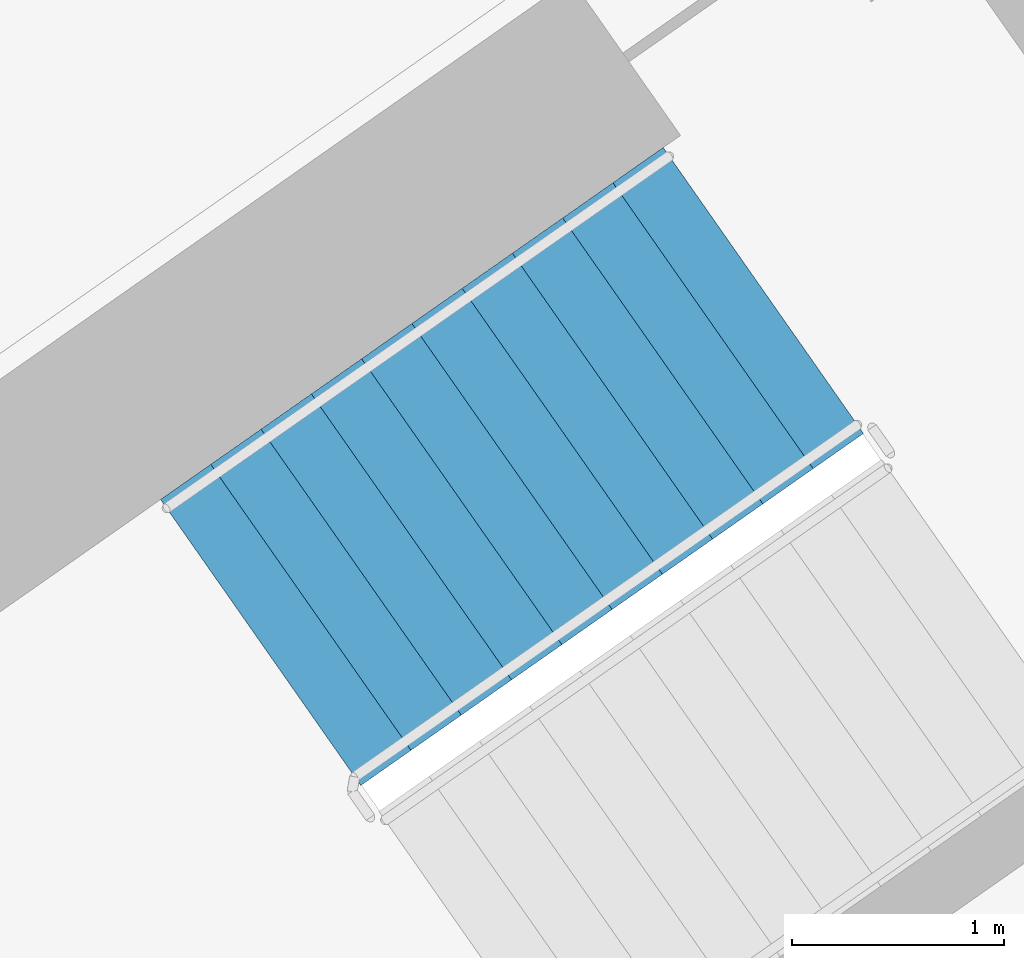
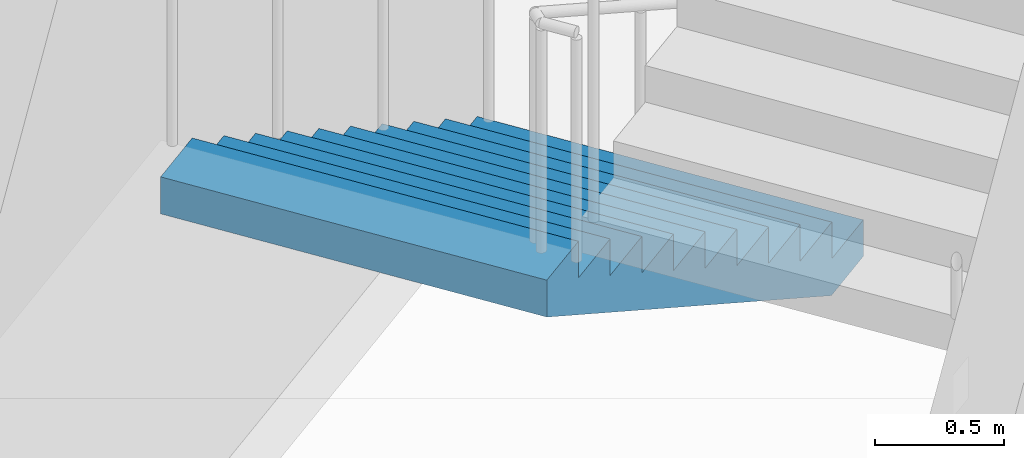
# One storey, part 15 of 31: 1 stair flight, 1 element without a shape of its own.
"""IFC4 building model written with IfcOpenShell, lengths in metres."""

from ifc_helpers import new_model, si_unit, direction, frame, origin, place, context, subcontext, project, spatial, faceted_brep, material, type_object, element, aggregate, save


model = new_model("IFC4")

# Units and contexts
model_context = context("Model", 3, precision=1e-05, world=origin(), true_north=direction((0.0, 1.0)))
body_context = subcontext(model_context, "Body", "Model", "MODEL_VIEW")
ifc_project = project(units=[si_unit("LENGTHUNIT", "METRE"), si_unit("AREAUNIT", "SQUARE_METRE"), si_unit("VOLUMEUNIT", "CUBIC_METRE"), si_unit("PLANEANGLEUNIT", "RADIAN"), si_unit("MASSUNIT", "GRAM", prefix="KILO")], contexts=[model_context])

# Site, building, storey
site_placement = place(None, origin())
site = spatial("IfcSite", under=ifc_project, at=site_placement, CompositionType="ELEMENT")
building_placement = place(site_placement, origin())
building = spatial("IfcBuilding", under=site, at=building_placement, Name="Qamariyya Broadcast Tower", CompositionType="ELEMENT")
storey_placement = place(building_placement, frame((0.0, 0.0, 74.699951171875)))
storey = spatial("IfcBuildingStorey", under=building, at=storey_placement, Name="L15", CompositionType="ELEMENT", Elevation=74.699951171875)

# Stair, stair flight
ifc_material = material(Name="Concrete C50/60", Category="concrete")
stair_type = type_object("IfcStairType", Name="Exit stair 22 risers of 173 mm", PredefinedType="HALF_TURN_STAIR", material=ifc_material)
stair_placement = place(storey_placement, origin())
stair = element("IfcStair", 1, at=stair_placement, inside=storey, type_object=stair_type, Name="L15 Stair E2", PredefinedType="HALF_TURN_STAIR")
stair_flight_type = type_object("IfcStairFlightType", Name="Exit stair flight 11 risers of 173 mm", PredefinedType="STRAIGHT", material=ifc_material)
stair_flight_placement = place(storey_placement, frame((40.558837890625, -47.685302734375, 0.0), z_axis=(0.0, 0.0, 1.0), x_axis=(-0.819152044289, -0.573576436351, 0.0)))
stair_flight = element("IfcStairFlight", 2, at=stair_flight_placement, type_object=stair_flight_type, Name="ST-E2 flight 1", NumberOfRisers=11, NumberOfTreads=10, PredefinedType="STRAIGHT", RiserHeight=0.172727273, TreadLength=0.29, context=body_context, shape_type="Brep", body=[
    faceted_brep([(0.0, 0.824951171875, 0.0), (0.0, 0.824951171875, 0.172607421875), (0.2900390625, 0.824951171875, 0.172607421875), (0.2900390625, 0.824951171875, 0.345458984375), (0.580078125, 0.824951171875, 0.345458984375), (0.580078125, 0.824951171875, 0.51806640625), (0.8701171875, 0.824951171875, 0.51806640625), (0.8701171875, 0.824951171875, 0.69091796875), (1.159912109375, 0.824951171875, 0.69091796875), (1.159912109375, 0.824951171875, 0.863525390625), (1.449951171875, 0.824951171875, 0.863525390625), (1.449951171875, 0.824951171875, 1.036376953125), (1.739990234375, 0.824951171875, 1.036376953125), (1.739990234375, 0.824951171875, 1.208984375), (2.030029296875, 0.824951171875, 1.208984375), (2.030029296875, 0.824951171875, 1.3818359375), (2.320068359375, 0.824951171875, 1.3818359375), (2.320068359375, 0.824951171875, 1.554443359375), (2.610107421875, 0.824951171875, 1.554443359375), (2.610107421875, 0.824951171875, 1.727294921875), (2.89990234375, 0.824951171875, 1.727294921875), (2.89990234375, 0.824951171875, 1.552734375), (0.29296875, 0.824951171875, 0.0), (0.29296875, -0.824951171875, 0.0), (2.89990234375, -0.824951171875, 1.552734375), (2.89990234375, -0.824951171875, 1.727294921875), (2.610107421875, -0.824951171875, 1.727294921875), (2.610107421875, -0.824951171875, 1.554443359375), (2.320068359375, -0.824951171875, 1.554443359375), (2.320068359375, -0.824951171875, 1.3818359375), (2.030029296875, -0.824951171875, 1.3818359375), (2.030029296875, -0.824951171875, 1.208984375), (1.739990234375, -0.824951171875, 1.208984375), (1.739990234375, -0.824951171875, 1.036376953125), (1.449951171875, -0.824951171875, 1.036376953125), (1.449951171875, -0.824951171875, 0.863525390625), (1.159912109375, -0.824951171875, 0.863525390625), (1.159912109375, -0.824951171875, 0.69091796875), (0.8701171875, -0.824951171875, 0.69091796875), (0.8701171875, -0.824951171875, 0.51806640625), (0.580078125, -0.824951171875, 0.51806640625), (0.580078125, -0.824951171875, 0.345458984375), (0.2900390625, -0.824951171875, 0.345458984375), (0.2900390625, -0.824951171875, 0.172607421875), (0.0, -0.824951171875, 0.172607421875), (0.0, -0.824951171875, 0.0), (0.0, 0.10009765625, 0.0), (0.0, 0.086669921875, 0.0), (0.0, 0.0732421875, 0.0), (0.0, 0.06005859375, 0.0), (0.0, 0.046630859375, 0.0), (0.0, 0.033447265625, 0.0), (0.0, 0.02001953125, 0.0), (0.0, 0.006591796875, 0.0), (0.0, -0.006591796875, 0.0), (0.0, -0.02001953125, 0.0), (0.0, -0.033447265625, 0.0), (0.0, -0.046630859375, 0.0), (0.0, -0.06005859375, 0.0), (0.0, -0.0732421875, 0.0), (0.0, -0.086669921875, 0.0), (0.0, -0.10009765625, 0.0), (0.0, -0.10009765625, 0.172607421875), (0.0, -0.086669921875, 0.172607421875), (0.0, -0.0732421875, 0.172607421875), (0.0, -0.06005859375, 0.172607421875), (0.0, -0.046630859375, 0.172607421875), (0.0, -0.033447265625, 0.172607421875), (0.0, -0.02001953125, 0.172607421875), (0.0, -0.006591796875, 0.172607421875), (0.0, 0.006591796875, 0.172607421875), (0.0, 0.02001953125, 0.172607421875), (0.0, 0.033447265625, 0.172607421875), (0.0, 0.046630859375, 0.172607421875), (0.0, 0.06005859375, 0.172607421875), (0.0, 0.0732421875, 0.172607421875), (0.0, 0.086669921875, 0.172607421875), (0.0, 0.10009765625, 0.172607421875), (0.2900390625, -0.10009765625, 0.172607421875), (0.2900390625, -0.086669921875, 0.172607421875), (0.2900390625, -0.0732421875, 0.172607421875), (0.2900390625, -0.06005859375, 0.172607421875), (0.2900390625, -0.046630859375, 0.172607421875), (0.2900390625, -0.033447265625, 0.172607421875), (0.2900390625, -0.02001953125, 0.172607421875), (0.2900390625, -0.006591796875, 0.172607421875), (0.2900390625, 0.006591796875, 0.172607421875), (0.2900390625, 0.02001953125, 0.172607421875), (0.2900390625, 0.033447265625, 0.172607421875), (0.2900390625, 0.046630859375, 0.172607421875), (0.2900390625, 0.06005859375, 0.172607421875), (0.2900390625, 0.0732421875, 0.172607421875), (0.2900390625, 0.086669921875, 0.172607421875), (0.2900390625, 0.10009765625, 0.172607421875), (0.2900390625, -0.10009765625, 0.345458984375), (0.2900390625, -0.086669921875, 0.345458984375), (0.2900390625, -0.0732421875, 0.345458984375), (0.2900390625, -0.06005859375, 0.345458984375), (0.2900390625, -0.046630859375, 0.345458984375), (0.2900390625, -0.033447265625, 0.345458984375), (0.2900390625, -0.02001953125, 0.345458984375), (0.2900390625, -0.006591796875, 0.345458984375), (0.2900390625, 0.006591796875, 0.345458984375), (0.2900390625, 0.02001953125, 0.345458984375), (0.2900390625, 0.033447265625, 0.345458984375), (0.2900390625, 0.046630859375, 0.345458984375), (0.2900390625, 0.06005859375, 0.345458984375), (0.2900390625, 0.0732421875, 0.345458984375), (0.2900390625, 0.086669921875, 0.345458984375), (0.2900390625, 0.10009765625, 0.345458984375), (0.580078125, -0.10009765625, 0.345458984375), (0.580078125, -0.086669921875, 0.345458984375), (0.580078125, -0.0732421875, 0.345458984375), (0.580078125, -0.06005859375, 0.345458984375), (0.580078125, -0.046630859375, 0.345458984375), (0.580078125, -0.033447265625, 0.345458984375), (0.580078125, -0.02001953125, 0.345458984375), (0.580078125, -0.006591796875, 0.345458984375), (0.580078125, 0.006591796875, 0.345458984375), (0.580078125, 0.02001953125, 0.345458984375), (0.580078125, 0.033447265625, 0.345458984375), (0.580078125, 0.046630859375, 0.345458984375), (0.580078125, 0.06005859375, 0.345458984375), (0.580078125, 0.0732421875, 0.345458984375), (0.580078125, 0.086669921875, 0.345458984375), (0.580078125, 0.10009765625, 0.345458984375), (0.580078125, -0.10009765625, 0.51806640625), (0.580078125, -0.086669921875, 0.51806640625), (0.580078125, -0.0732421875, 0.51806640625), (0.580078125, -0.06005859375, 0.51806640625), (0.580078125, -0.046630859375, 0.51806640625), (0.580078125, -0.033447265625, 0.51806640625), (0.580078125, -0.02001953125, 0.51806640625), (0.580078125, -0.006591796875, 0.51806640625), (0.580078125, 0.006591796875, 0.51806640625), (0.580078125, 0.02001953125, 0.51806640625), (0.580078125, 0.033447265625, 0.51806640625), (0.580078125, 0.046630859375, 0.51806640625), (0.580078125, 0.06005859375, 0.51806640625), (0.580078125, 0.0732421875, 0.51806640625), (0.580078125, 0.086669921875, 0.51806640625), (0.580078125, 0.10009765625, 0.51806640625), (0.8701171875, -0.10009765625, 0.51806640625), (0.8701171875, -0.086669921875, 0.51806640625), (0.8701171875, -0.0732421875, 0.51806640625), (0.8701171875, -0.06005859375, 0.51806640625), (0.8701171875, -0.046630859375, 0.51806640625), (0.8701171875, -0.033447265625, 0.51806640625), (0.8701171875, -0.02001953125, 0.51806640625), (0.8701171875, -0.006591796875, 0.51806640625), (0.8701171875, 0.006591796875, 0.51806640625), (0.8701171875, 0.02001953125, 0.51806640625), (0.8701171875, 0.033447265625, 0.51806640625), (0.8701171875, 0.046630859375, 0.51806640625), (0.8701171875, 0.06005859375, 0.51806640625), (0.8701171875, 0.0732421875, 0.51806640625), (0.8701171875, 0.086669921875, 0.51806640625), (0.8701171875, 0.10009765625, 0.51806640625), (0.8701171875, -0.10009765625, 0.69091796875), (0.8701171875, -0.086669921875, 0.69091796875), (0.8701171875, -0.0732421875, 0.69091796875), (0.8701171875, -0.06005859375, 0.69091796875), (0.8701171875, -0.046630859375, 0.69091796875), (0.8701171875, -0.033447265625, 0.69091796875), (0.8701171875, -0.02001953125, 0.69091796875), (0.8701171875, -0.006591796875, 0.69091796875), (0.8701171875, 0.006591796875, 0.69091796875), (0.8701171875, 0.02001953125, 0.69091796875), (0.8701171875, 0.033447265625, 0.69091796875), (0.8701171875, 0.046630859375, 0.69091796875), (0.8701171875, 0.06005859375, 0.69091796875), (0.8701171875, 0.0732421875, 0.69091796875), (0.8701171875, 0.086669921875, 0.69091796875), (0.8701171875, 0.10009765625, 0.69091796875), (1.159912109375, -0.10009765625, 0.69091796875), (1.159912109375, -0.086669921875, 0.69091796875), (1.159912109375, -0.0732421875, 0.69091796875), (1.159912109375, -0.06005859375, 0.69091796875), (1.159912109375, -0.046630859375, 0.69091796875), (1.159912109375, -0.033447265625, 0.69091796875), (1.159912109375, -0.02001953125, 0.69091796875), (1.159912109375, -0.006591796875, 0.69091796875), (1.159912109375, 0.006591796875, 0.69091796875), (1.159912109375, 0.02001953125, 0.69091796875), (1.159912109375, 0.033447265625, 0.69091796875), (1.159912109375, 0.046630859375, 0.69091796875), (1.159912109375, 0.06005859375, 0.69091796875), (1.159912109375, 0.0732421875, 0.69091796875), (1.159912109375, 0.086669921875, 0.69091796875), (1.159912109375, 0.10009765625, 0.69091796875), (1.159912109375, -0.10009765625, 0.863525390625), (1.159912109375, -0.086669921875, 0.863525390625), (1.159912109375, -0.0732421875, 0.863525390625), (1.159912109375, -0.06005859375, 0.863525390625), (1.159912109375, -0.046630859375, 0.863525390625), (1.159912109375, -0.033447265625, 0.863525390625), (1.159912109375, -0.02001953125, 0.863525390625), (1.159912109375, -0.006591796875, 0.863525390625), (1.159912109375, 0.006591796875, 0.863525390625), (1.159912109375, 0.02001953125, 0.863525390625), (1.159912109375, 0.033447265625, 0.863525390625), (1.159912109375, 0.046630859375, 0.863525390625), (1.159912109375, 0.06005859375, 0.863525390625), (1.159912109375, 0.0732421875, 0.863525390625), (1.159912109375, 0.086669921875, 0.863525390625), (1.159912109375, 0.10009765625, 0.863525390625), (1.449951171875, -0.10009765625, 0.863525390625), (1.449951171875, -0.086669921875, 0.863525390625), (1.449951171875, -0.0732421875, 0.863525390625), (1.449951171875, -0.06005859375, 0.863525390625), (1.449951171875, -0.046630859375, 0.863525390625), (1.449951171875, -0.033447265625, 0.863525390625), (1.449951171875, -0.02001953125, 0.863525390625), (1.449951171875, -0.006591796875, 0.863525390625), (1.449951171875, 0.006591796875, 0.863525390625), (1.449951171875, 0.02001953125, 0.863525390625), (1.449951171875, 0.033447265625, 0.863525390625), (1.449951171875, 0.046630859375, 0.863525390625), (1.449951171875, 0.06005859375, 0.863525390625), (1.449951171875, 0.0732421875, 0.863525390625), (1.449951171875, 0.086669921875, 0.863525390625), (1.449951171875, 0.10009765625, 0.863525390625), (1.449951171875, -0.10009765625, 1.036376953125), (1.449951171875, -0.086669921875, 1.036376953125), (1.449951171875, -0.0732421875, 1.036376953125), (1.449951171875, -0.06005859375, 1.036376953125), (1.449951171875, -0.046630859375, 1.036376953125), (1.449951171875, -0.033447265625, 1.036376953125), (1.449951171875, -0.02001953125, 1.036376953125), (1.449951171875, -0.006591796875, 1.036376953125), (1.449951171875, 0.006591796875, 1.036376953125), (1.449951171875, 0.02001953125, 1.036376953125), (1.449951171875, 0.033447265625, 1.036376953125), (1.449951171875, 0.046630859375, 1.036376953125), (1.449951171875, 0.06005859375, 1.036376953125), (1.449951171875, 0.0732421875, 1.036376953125), (1.449951171875, 0.086669921875, 1.036376953125), (1.449951171875, 0.10009765625, 1.036376953125), (1.739990234375, -0.10009765625, 1.036376953125), (1.739990234375, -0.086669921875, 1.036376953125), (1.739990234375, -0.0732421875, 1.036376953125), (1.739990234375, -0.06005859375, 1.036376953125), (1.739990234375, -0.046630859375, 1.036376953125), (1.739990234375, -0.033447265625, 1.036376953125), (1.739990234375, -0.02001953125, 1.036376953125), (1.739990234375, -0.006591796875, 1.036376953125), (1.739990234375, 0.006591796875, 1.036376953125), (1.739990234375, 0.02001953125, 1.036376953125), (1.739990234375, 0.033447265625, 1.036376953125), (1.739990234375, 0.046630859375, 1.036376953125), (1.739990234375, 0.06005859375, 1.036376953125), (1.739990234375, 0.0732421875, 1.036376953125), (1.739990234375, 0.086669921875, 1.036376953125), (1.739990234375, 0.10009765625, 1.036376953125), (1.739990234375, -0.10009765625, 1.208984375), (1.739990234375, -0.086669921875, 1.208984375), (1.739990234375, -0.0732421875, 1.208984375), (1.739990234375, -0.06005859375, 1.208984375), (1.739990234375, -0.046630859375, 1.208984375), (1.739990234375, -0.033447265625, 1.208984375), (1.739990234375, -0.02001953125, 1.208984375), (1.739990234375, -0.006591796875, 1.208984375), (1.739990234375, 0.006591796875, 1.208984375), (1.739990234375, 0.02001953125, 1.208984375), (1.739990234375, 0.033447265625, 1.208984375), (1.739990234375, 0.046630859375, 1.208984375), (1.739990234375, 0.06005859375, 1.208984375), (1.739990234375, 0.0732421875, 1.208984375), (1.739990234375, 0.086669921875, 1.208984375), (1.739990234375, 0.10009765625, 1.208984375), (2.030029296875, -0.10009765625, 1.208984375), (2.030029296875, -0.086669921875, 1.208984375), (2.030029296875, -0.0732421875, 1.208984375), (2.030029296875, -0.06005859375, 1.208984375), (2.030029296875, -0.046630859375, 1.208984375), (2.030029296875, -0.033447265625, 1.208984375), (2.030029296875, -0.02001953125, 1.208984375), (2.030029296875, -0.006591796875, 1.208984375), (2.030029296875, 0.006591796875, 1.208984375), (2.030029296875, 0.02001953125, 1.208984375), (2.030029296875, 0.033447265625, 1.208984375), (2.030029296875, 0.046630859375, 1.208984375), (2.030029296875, 0.06005859375, 1.208984375), (2.030029296875, 0.0732421875, 1.208984375), (2.030029296875, 0.086669921875, 1.208984375), (2.030029296875, 0.10009765625, 1.208984375), (2.030029296875, -0.10009765625, 1.3818359375), (2.030029296875, -0.086669921875, 1.3818359375), (2.030029296875, -0.0732421875, 1.3818359375), (2.030029296875, -0.06005859375, 1.3818359375), (2.030029296875, -0.046630859375, 1.3818359375), (2.030029296875, -0.033447265625, 1.3818359375), (2.030029296875, -0.02001953125, 1.3818359375), (2.030029296875, -0.006591796875, 1.3818359375), (2.030029296875, 0.006591796875, 1.3818359375), (2.030029296875, 0.02001953125, 1.3818359375), (2.030029296875, 0.033447265625, 1.3818359375), (2.030029296875, 0.046630859375, 1.3818359375), (2.030029296875, 0.06005859375, 1.3818359375), (2.030029296875, 0.0732421875, 1.3818359375), (2.030029296875, 0.086669921875, 1.3818359375), (2.030029296875, 0.10009765625, 1.3818359375), (2.320068359375, -0.10009765625, 1.3818359375), (2.320068359375, -0.086669921875, 1.3818359375), (2.320068359375, -0.0732421875, 1.3818359375), (2.320068359375, -0.06005859375, 1.3818359375), (2.320068359375, -0.046630859375, 1.3818359375), (2.320068359375, -0.033447265625, 1.3818359375), (2.320068359375, -0.02001953125, 1.3818359375), (2.320068359375, -0.006591796875, 1.3818359375), (2.320068359375, 0.006591796875, 1.3818359375), (2.320068359375, 0.02001953125, 1.3818359375), (2.320068359375, 0.033447265625, 1.3818359375), (2.320068359375, 0.046630859375, 1.3818359375), (2.320068359375, 0.06005859375, 1.3818359375), (2.320068359375, 0.0732421875, 1.3818359375), (2.320068359375, 0.086669921875, 1.3818359375), (2.320068359375, 0.10009765625, 1.3818359375), (2.320068359375, -0.10009765625, 1.554443359375), (2.320068359375, -0.086669921875, 1.554443359375), (2.320068359375, -0.0732421875, 1.554443359375), (2.320068359375, -0.06005859375, 1.554443359375), (2.320068359375, -0.046630859375, 1.554443359375), (2.320068359375, -0.033447265625, 1.554443359375), (2.320068359375, -0.02001953125, 1.554443359375), (2.320068359375, -0.006591796875, 1.554443359375), (2.320068359375, 0.006591796875, 1.554443359375), (2.320068359375, 0.02001953125, 1.554443359375), (2.320068359375, 0.033447265625, 1.554443359375), (2.320068359375, 0.046630859375, 1.554443359375), (2.320068359375, 0.06005859375, 1.554443359375), (2.320068359375, 0.0732421875, 1.554443359375), (2.320068359375, 0.086669921875, 1.554443359375), (2.320068359375, 0.10009765625, 1.554443359375), (2.610107421875, -0.10009765625, 1.554443359375), (2.610107421875, -0.086669921875, 1.554443359375), (2.610107421875, -0.0732421875, 1.554443359375), (2.610107421875, -0.06005859375, 1.554443359375), (2.610107421875, -0.046630859375, 1.554443359375), (2.610107421875, -0.033447265625, 1.554443359375), (2.610107421875, -0.02001953125, 1.554443359375), (2.610107421875, -0.006591796875, 1.554443359375), (2.610107421875, 0.006591796875, 1.554443359375), (2.610107421875, 0.02001953125, 1.554443359375), (2.610107421875, 0.033447265625, 1.554443359375), (2.610107421875, 0.046630859375, 1.554443359375), (2.610107421875, 0.06005859375, 1.554443359375), (2.610107421875, 0.0732421875, 1.554443359375), (2.610107421875, 0.086669921875, 1.554443359375), (2.610107421875, 0.10009765625, 1.554443359375), (2.610107421875, -0.10009765625, 1.727294921875), (2.610107421875, -0.086669921875, 1.727294921875), (2.610107421875, -0.0732421875, 1.727294921875), (2.610107421875, -0.06005859375, 1.727294921875), (2.610107421875, -0.046630859375, 1.727294921875), (2.610107421875, -0.033447265625, 1.727294921875), (2.610107421875, -0.02001953125, 1.727294921875), (2.610107421875, -0.006591796875, 1.727294921875), (2.610107421875, 0.006591796875, 1.727294921875), (2.610107421875, 0.02001953125, 1.727294921875), (2.610107421875, 0.033447265625, 1.727294921875), (2.610107421875, 0.046630859375, 1.727294921875), (2.610107421875, 0.06005859375, 1.727294921875), (2.610107421875, 0.0732421875, 1.727294921875), (2.610107421875, 0.086669921875, 1.727294921875), (2.610107421875, 0.10009765625, 1.727294921875), (2.89990234375, -0.10009765625, 1.727294921875), (2.89990234375, -0.086669921875, 1.727294921875), (2.89990234375, -0.0732421875, 1.727294921875), (2.89990234375, -0.06005859375, 1.727294921875), (2.89990234375, -0.046630859375, 1.727294921875), (2.89990234375, -0.033447265625, 1.727294921875), (2.89990234375, -0.02001953125, 1.727294921875), (2.89990234375, -0.006591796875, 1.727294921875), (2.89990234375, 0.006591796875, 1.727294921875), (2.89990234375, 0.02001953125, 1.727294921875), (2.89990234375, 0.033447265625, 1.727294921875), (2.89990234375, 0.046630859375, 1.727294921875), (2.89990234375, 0.06005859375, 1.727294921875), (2.89990234375, 0.0732421875, 1.727294921875), (2.89990234375, 0.086669921875, 1.727294921875), (2.89990234375, 0.10009765625, 1.727294921875), (2.89990234375, -0.10009765625, 1.552734375), (2.89990234375, -0.086669921875, 1.552734375), (2.89990234375, -0.0732421875, 1.552734375), (2.89990234375, -0.06005859375, 1.552734375), (2.89990234375, -0.046630859375, 1.552734375), (2.89990234375, -0.033447265625, 1.552734375), (2.89990234375, -0.02001953125, 1.552734375), (2.89990234375, -0.006591796875, 1.552734375), (2.89990234375, 0.006591796875, 1.552734375), (2.89990234375, 0.02001953125, 1.552734375), (2.89990234375, 0.033447265625, 1.552734375), (2.89990234375, 0.046630859375, 1.552734375), (2.89990234375, 0.06005859375, 1.552734375), (2.89990234375, 0.0732421875, 1.552734375), (2.89990234375, 0.086669921875, 1.552734375), (2.89990234375, 0.10009765625, 1.552734375), (0.29296875, -0.10009765625, 0.0), (0.29296875, -0.086669921875, 0.0), (0.29296875, -0.0732421875, 0.0), (0.29296875, -0.06005859375, 0.0), (0.29296875, -0.046630859375, 0.0), (0.29296875, -0.033447265625, 0.0), (0.29296875, -0.02001953125, 0.0), (0.29296875, -0.006591796875, 0.0), (0.29296875, 0.006591796875, 0.0), (0.29296875, 0.02001953125, 0.0), (0.29296875, 0.033447265625, 0.0), (0.29296875, 0.046630859375, 0.0), (0.29296875, 0.06005859375, 0.0), (0.29296875, 0.0732421875, 0.0), (0.29296875, 0.086669921875, 0.0), (0.29296875, 0.10009765625, 0.0)], [[[0, 1, 2, 3, 4, 5, 6, 7, 8, 9, 10, 11, 12, 13, 14, 15, 16, 17, 18, 19, 20, 21, 22]], [[23, 24, 25, 26, 27, 28, 29, 30, 31, 32, 33, 34, 35, 36, 37, 38, 39, 40, 41, 42, 43, 44, 45]], [[0, 46, 47, 48, 49, 50, 51, 52, 53, 54, 55, 56, 57, 58, 59, 60, 61, 45, 44, 62, 63, 64, 65, 66, 67, 68, 69, 70, 71, 72, 73, 74, 75, 76, 77, 1]], [[1, 77, 76, 75, 74, 73, 72, 71, 70, 69, 68, 67, 66, 65, 64, 63, 62, 44, 43, 78, 79, 80, 81, 82, 83, 84, 85, 86, 87, 88, 89, 90, 91, 92, 93, 2]], [[2, 93, 92, 91, 90, 89, 88, 87, 86, 85, 84, 83, 82, 81, 80, 79, 78, 43, 42, 94, 95, 96, 97, 98, 99, 100, 101, 102, 103, 104, 105, 106, 107, 108, 109, 3]], [[3, 109, 108, 107, 106, 105, 104, 103, 102, 101, 100, 99, 98, 97, 96, 95, 94, 42, 41, 110, 111, 112, 113, 114, 115, 116, 117, 118, 119, 120, 121, 122, 123, 124, 125, 4]], [[4, 125, 124, 123, 122, 121, 120, 119, 118, 117, 116, 115, 114, 113, 112, 111, 110, 41, 40, 126, 127, 128, 129, 130, 131, 132, 133, 134, 135, 136, 137, 138, 139, 140, 141, 5]], [[5, 141, 140, 139, 138, 137, 136, 135, 134, 133, 132, 131, 130, 129, 128, 127, 126, 40, 39, 142, 143, 144, 145, 146, 147, 148, 149, 150, 151, 152, 153, 154, 155, 156, 157, 6]], [[6, 157, 156, 155, 154, 153, 152, 151, 150, 149, 148, 147, 146, 145, 144, 143, 142, 39, 38, 158, 159, 160, 161, 162, 163, 164, 165, 166, 167, 168, 169, 170, 171, 172, 173, 7]], [[7, 173, 172, 171, 170, 169, 168, 167, 166, 165, 164, 163, 162, 161, 160, 159, 158, 38, 37, 174, 175, 176, 177, 178, 179, 180, 181, 182, 183, 184, 185, 186, 187, 188, 189, 8]], [[8, 189, 188, 187, 186, 185, 184, 183, 182, 181, 180, 179, 178, 177, 176, 175, 174, 37, 36, 190, 191, 192, 193, 194, 195, 196, 197, 198, 199, 200, 201, 202, 203, 204, 205, 9]], [[9, 205, 204, 203, 202, 201, 200, 199, 198, 197, 196, 195, 194, 193, 192, 191, 190, 36, 35, 206, 207, 208, 209, 210, 211, 212, 213, 214, 215, 216, 217, 218, 219, 220, 221, 10]], [[10, 221, 220, 219, 218, 217, 216, 215, 214, 213, 212, 211, 210, 209, 208, 207, 206, 35, 34, 222, 223, 224, 225, 226, 227, 228, 229, 230, 231, 232, 233, 234, 235, 236, 237, 11]], [[11, 237, 236, 235, 234, 233, 232, 231, 230, 229, 228, 227, 226, 225, 224, 223, 222, 34, 33, 238, 239, 240, 241, 242, 243, 244, 245, 246, 247, 248, 249, 250, 251, 252, 253, 12]], [[12, 253, 252, 251, 250, 249, 248, 247, 246, 245, 244, 243, 242, 241, 240, 239, 238, 33, 32, 254, 255, 256, 257, 258, 259, 260, 261, 262, 263, 264, 265, 266, 267, 268, 269, 13]], [[13, 269, 268, 267, 266, 265, 264, 263, 262, 261, 260, 259, 258, 257, 256, 255, 254, 32, 31, 270, 271, 272, 273, 274, 275, 276, 277, 278, 279, 280, 281, 282, 283, 284, 285, 14]], [[14, 285, 284, 283, 282, 281, 280, 279, 278, 277, 276, 275, 274, 273, 272, 271, 270, 31, 30, 286, 287, 288, 289, 290, 291, 292, 293, 294, 295, 296, 297, 298, 299, 300, 301, 15]], [[15, 301, 300, 299, 298, 297, 296, 295, 294, 293, 292, 291, 290, 289, 288, 287, 286, 30, 29, 302, 303, 304, 305, 306, 307, 308, 309, 310, 311, 312, 313, 314, 315, 316, 317, 16]], [[16, 317, 316, 315, 314, 313, 312, 311, 310, 309, 308, 307, 306, 305, 304, 303, 302, 29, 28, 318, 319, 320, 321, 322, 323, 324, 325, 326, 327, 328, 329, 330, 331, 332, 333, 17]], [[17, 333, 332, 331, 330, 329, 328, 327, 326, 325, 324, 323, 322, 321, 320, 319, 318, 28, 27, 334, 335, 336, 337, 338, 339, 340, 341, 342, 343, 344, 345, 346, 347, 348, 349, 18]], [[18, 349, 348, 347, 346, 345, 344, 343, 342, 341, 340, 339, 338, 337, 336, 335, 334, 27, 26, 350, 351, 352, 353, 354, 355, 356, 357, 358, 359, 360, 361, 362, 363, 364, 365, 19]], [[19, 365, 364, 363, 362, 361, 360, 359, 358, 357, 356, 355, 354, 353, 352, 351, 350, 26, 25, 366, 367, 368, 369, 370, 371, 372, 373, 374, 375, 376, 377, 378, 379, 380, 381, 20]], [[20, 381, 380, 379, 378, 377, 376, 375, 374, 373, 372, 371, 370, 369, 368, 367, 366, 25, 24, 382, 383, 384, 385, 386, 387, 388, 389, 390, 391, 392, 393, 394, 395, 396, 397, 21]], [[21, 397, 396, 395, 394, 393, 392, 391, 390, 389, 388, 387, 386, 385, 384, 383, 382, 24, 23, 398, 399, 400, 401, 402, 403, 404, 405, 406, 407, 408, 409, 410, 411, 412, 413, 22]], [[22, 413, 412, 411, 410, 409, 408, 407, 406, 405, 404, 403, 402, 401, 400, 399, 398, 23, 45, 61, 60, 59, 58, 57, 56, 55, 54, 53, 52, 51, 50, 49, 48, 47, 46, 0]]]),
])
aggregate(stair, [stair_flight])

save(model, "model.ifc")
